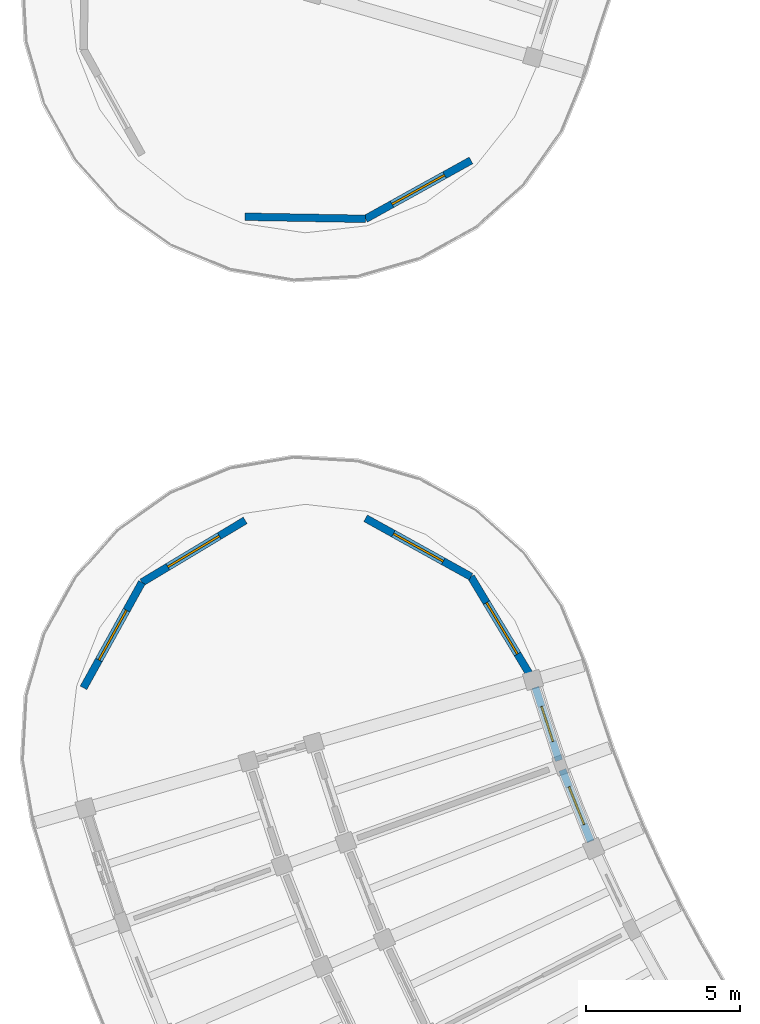
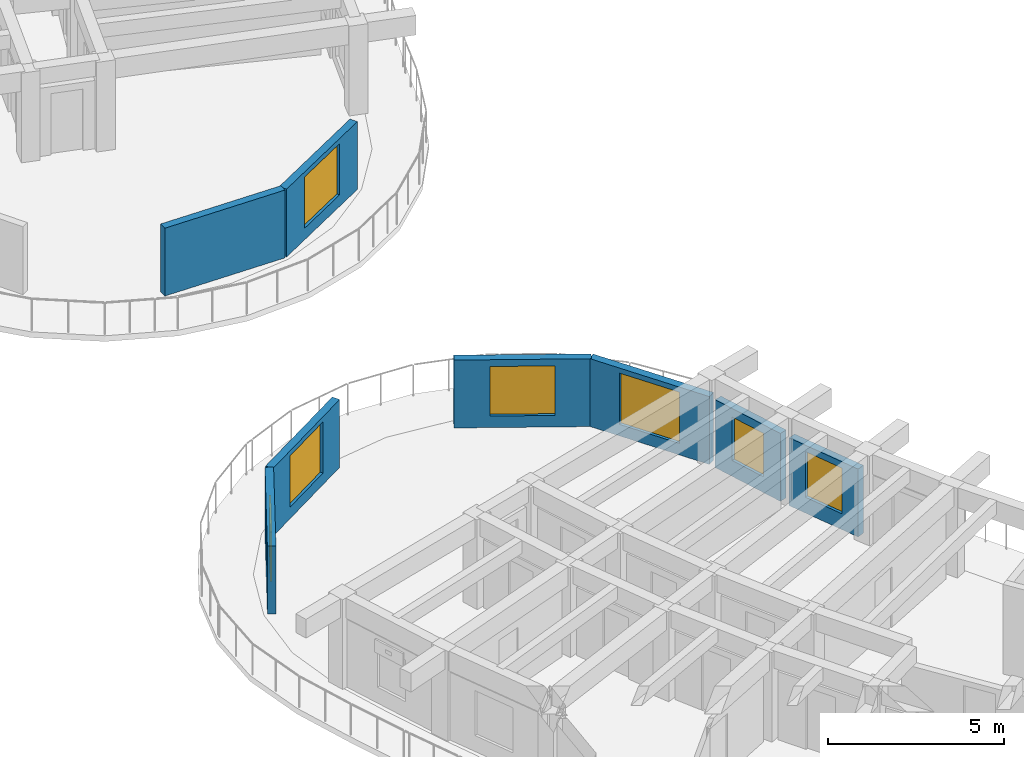
# One storey, part 31 of 69: 8 walls, 7 windows, 7 openings.
"""IFC4 building model written with IfcOpenShell, lengths in metres."""

from ifc_helpers import new_model, si_unit, direction, frame, frame_2d, origin, place, context, subcontext, project, spatial, rectangle, extrude, material, layer, layer_set, type_object, element, fill, save


model = new_model("IFC4")

# Units and contexts
model_context = context("Model", 3, precision=1e-05, world=origin(), true_north=direction((0.0, 1.0)))
body_context = subcontext(model_context, "Body", "Model", "MODEL_VIEW")
ifc_project = project(units=[si_unit("LENGTHUNIT", "METRE"), si_unit("AREAUNIT", "SQUARE_METRE"), si_unit("VOLUMEUNIT", "CUBIC_METRE"), si_unit("PLANEANGLEUNIT", "RADIAN"), si_unit("MASSUNIT", "GRAM", prefix="KILO")], contexts=[model_context])

# Site, building, storey
site_placement = place(None, origin())
site = spatial("IfcSite", under=ifc_project, at=site_placement, CompositionType="ELEMENT")
building_placement = place(site_placement, origin())
building = spatial("IfcBuilding", under=site, at=building_placement, Name="Tanwirah Colonnade Gardens", CompositionType="ELEMENT")
storey_placement = place(building_placement, frame((0.0, 0.0, 15.56005859375)))
storey = spatial("IfcBuildingStorey", under=building, at=storey_placement, Name="L04", CompositionType="ELEMENT", Elevation=15.56005859375)

# Wall, opening, window
ifc_material_1 = material(Name="Limestone architectural precast concrete C40/50", Category="masonry")
ifc_layer = layer(ifc_material_1, 0.2451171875)
ifc_layer_set = layer_set([ifc_layer], Name="Limestone architectural precast concrete C40/50")
wall_type = type_object("IfcWallType", Name="EW-PC245", PredefinedType="SOLIDWALL", material=ifc_layer_set)
wall_1_placement = place(storey_placement, frame((20.259033203125, 69.10205078125, 0.0), z_axis=(0.0, 0.0, 1.0), x_axis=(-0.874643043537, -0.484767517881, 0.0)))
wall_1 = element("IfcWall", 1, at=wall_1_placement, inside=storey, type_object=wall_type, Name="Block A L04 END Rounded End Wall 1", PredefinedType="SOLIDWALL", context=body_context, shape_type="SweptSolid", body=[
    extrude(rectangle(XDim=3.908203125, YDim=0.2451171875, at=frame_2d((1.9541015625, 0.0))), origin(), (0.0, 0.0, 1.0), 2.35498046875),
])
opening_1_placement = place(wall_1_placement, frame((0.97900390625, 0.0, 0.39990234375)))
opening_1 = element("IfcOpeningElement", 2, at=opening_1_placement, cuts=wall_1, Name="Opening WIN-END2", PredefinedType="OPENING", context=body_context, shape_type="SweptSolid", body=[
    extrude(rectangle(XDim=1.949951171875, YDim=1.780029296875, at=frame_2d((0.97509765625, 0.89013671875))), frame((0.0, 0.132568359375, 0.0), z_axis=(0.0, -1.0, 0.0), x_axis=(1.0, 0.0, 0.0)), (0.0, 0.0, 1.0), 0.26513671875),
])
ifc_material_2 = material(Name="Thermally broken bronze aluminium and solar low-E double glazing", Category="aluminium")
window_type_1 = type_object("IfcWindowType", Name="WIN-END2", PartitioningType="TRIPLE_PANEL_VERTICAL", PredefinedType="WINDOW", material=ifc_material_2)
window_1_placement = place(opening_1_placement, origin())
window_1 = element("IfcWindow", 3, at=window_1_placement, inside=storey, type_object=window_type_1, Name="Rounded corner window A-L04-END-1", OverallHeight=1.780029296875, OverallWidth=1.949951171875, PartitioningType="SINGLE_PANEL", PredefinedType="WINDOW", context=body_context, shape_type="SweptSolid", body=[
    extrude(rectangle(XDim=1.949951171875, YDim=1.780029296875, at=frame_2d((0.97509765625, 0.89013671875))), frame((0.0, 0.030029296875, 0.0), z_axis=(0.0, -1.0, 0.0), x_axis=(1.0, 0.0, 0.0)), (0.0, 0.0, 1.0), 0.06005859375),
])
fill(opening_1, window_1)

# Wall
wall_2_placement = place(storey_placement, frame((16.8408203125, 67.20751953125, 0.0), z_axis=(0.0, 0.0, 1.0), x_axis=(-0.999848096392, 0.017429404492, 0.0)))
element("IfcWall", 4, at=wall_2_placement, inside=storey, type_object=wall_type, Name="Block A L04 END Rounded End Wall 2", PredefinedType="SOLIDWALL", context=body_context, shape_type="SweptSolid", body=[
    extrude(rectangle(XDim=3.907958984375, YDim=0.2451171875, at=frame_2d((1.9541015625, 0.0))), origin(), (0.0, 0.0, 1.0), 2.35498046875),
])

# Wall, opening, window
wall_3_placement = place(storey_placement, frame((22.3486328125, 52.010009765625, 0.0), z_axis=(0.0, 0.0, 1.0), x_axis=(0.306979942778, -0.951715984279, 0.0)))
wall_3 = element("IfcWall", 5, at=wall_3_placement, inside=storey, type_object=wall_type, Name="Block C L04 IN Precast Facade Wall 0", PredefinedType="SOLIDWALL", context=body_context, shape_type="SweptSolid", body=[
    extrude(rectangle(XDim=2.498779296875, YDim=0.2451171875, at=frame_2d((1.24951171875, 0.0))), origin(), (0.0, 0.0, 1.0), 2.35498046875),
])
opening_2_placement = place(wall_3_placement, frame((0.6494140625, 0.0, 0.550048828125)))
opening_2 = element("IfcOpeningElement", 6, at=opening_2_placement, cuts=wall_3, Name="Opening WIN-U02", PredefinedType="OPENING", context=body_context, shape_type="SweptSolid", body=[
    extrude(rectangle(XDim=1.199951171875, YDim=1.510009765625, at=frame_2d((0.60009765625, 0.7548828125))), frame((0.0, 0.132568359375, 0.0), z_axis=(0.0, -1.0, 0.0), x_axis=(1.0, 0.0, 0.0)), (0.0, 0.0, 1.0), 0.26513671875),
])
window_type_2 = type_object("IfcWindowType", Name="WIN-U02", PartitioningType="DOUBLE_PANEL_VERTICAL", PredefinedType="WINDOW", material=ifc_material_2)
window_2_placement = place(opening_2_placement, origin())
window_2 = element("IfcWindow", 7, at=window_2_placement, inside=storey, type_object=window_type_2, Name="Facade window C-L04-IN-00", OverallHeight=1.510009765625, OverallWidth=1.199951171875, PartitioningType="SINGLE_PANEL", PredefinedType="WINDOW", context=body_context, shape_type="SweptSolid", body=[
    extrude(rectangle(XDim=1.199951171875, YDim=1.510009765625, at=frame_2d((0.60009765625, 0.7548828125))), frame((0.0, 0.030029296875, 0.0), z_axis=(0.0, -1.0, 0.0), x_axis=(1.0, 0.0, 0.0)), (0.0, 0.0, 1.0), 0.06005859375),
])
fill(opening_2, window_2)

wall_4_placement = place(storey_placement, frame((23.2236328125, 49.330810546875, 0.0), z_axis=(0.0, 0.0, 1.0), x_axis=(0.368558756085, -0.9296044553, 0.0)))
wall_4 = element("IfcWall", 8, at=wall_4_placement, inside=storey, type_object=wall_type, Name="Block C L04 IN Precast Facade Wall 1", PredefinedType="SOLIDWALL", context=body_context, shape_type="SweptSolid", body=[
    extrude(rectangle(XDim=2.49853515625, YDim=0.2451171875, at=frame_2d((1.249267578125, 0.0))), origin(), (0.0, 0.0, 1.0), 2.35498046875),
])
opening_3_placement = place(wall_4_placement, frame((0.58935546875, 0.0, 0.550048828125)))
opening_3 = element("IfcOpeningElement", 9, at=opening_3_placement, cuts=wall_4, Name="Opening WIN-U05", PredefinedType="OPENING", context=body_context, shape_type="SweptSolid", body=[
    extrude(rectangle(XDim=1.320068359375, YDim=1.5849609375, at=frame_2d((0.66015625, 0.79248046875))), frame((0.0, 0.132568359375, 0.0), z_axis=(0.0, -1.0, 0.0), x_axis=(1.0, 0.0, 0.0)), (0.0, 0.0, 1.0), 0.26513671875),
])
window_type_3 = type_object("IfcWindowType", Name="WIN-U05", PartitioningType="DOUBLE_PANEL_VERTICAL", PredefinedType="WINDOW", material=ifc_material_2)
window_3_placement = place(opening_3_placement, origin())
window_3 = element("IfcWindow", 10, at=window_3_placement, inside=storey, type_object=window_type_3, Name="Facade window C-L04-IN-01", OverallHeight=1.5849609375, OverallWidth=1.320068359375, PartitioningType="SINGLE_PANEL", PredefinedType="WINDOW", context=body_context, shape_type="SweptSolid", body=[
    extrude(rectangle(XDim=1.320068359375, YDim=1.5849609375, at=frame_2d((0.66015625, 0.79248046875))), frame((0.0, 0.030029296875, 0.0), z_axis=(0.0, -1.0, 0.0), x_axis=(1.0, 0.0, 0.0)), (0.0, 0.0, 1.0), 0.06005859375),
])
fill(opening_3, window_3)

wall_5_placement = place(storey_placement, frame((7.688720703125, 51.993408203125, 0.0), z_axis=(0.0, 0.0, 1.0), x_axis=(0.48481530532, 0.874616555828, 0.0)))
wall_5 = element("IfcWall", 11, at=wall_5_placement, inside=storey, type_object=wall_type, Name="Block C L04 START Rounded End Wall 1", PredefinedType="SOLIDWALL", context=body_context, shape_type="SweptSolid", body=[
    extrude(rectangle(XDim=3.908203125, YDim=0.2451171875, at=frame_2d((1.9541015625, 0.0))), origin(), (0.0, 0.0, 1.0), 2.35498046875),
])
opening_4_placement = place(wall_5_placement, frame((1.029052734375, 0.0, 0.39990234375)))
opening_4 = element("IfcOpeningElement", 12, at=opening_4_placement, cuts=wall_5, Name="Opening WIN-END1", PredefinedType="OPENING", context=body_context, shape_type="SweptSolid", body=[
    extrude(rectangle(XDim=1.85009765625, YDim=1.719970703125, at=frame_2d((0.925048828125, 0.85986328125))), frame((0.0, 0.132568359375, 0.0), z_axis=(0.0, -1.0, 0.0), x_axis=(1.0, 0.0, 0.0)), (0.0, 0.0, 1.0), 0.26513671875),
])
window_type_4 = type_object("IfcWindowType", Name="WIN-END1", PartitioningType="TRIPLE_PANEL_VERTICAL", PredefinedType="WINDOW", material=ifc_material_2)
window_4_placement = place(opening_4_placement, origin())
window_4 = element("IfcWindow", 13, at=window_4_placement, inside=storey, type_object=window_type_4, Name="Rounded corner window C-L04-START-1", OverallHeight=1.719970703125, OverallWidth=1.85009765625, PartitioningType="SINGLE_PANEL", PredefinedType="WINDOW", context=body_context, shape_type="SweptSolid", body=[
    extrude(rectangle(XDim=1.85009765625, YDim=1.719970703125, at=frame_2d((0.925048828125, 0.85986328125))), frame((0.0, 0.030029296875, 0.0), z_axis=(0.0, -1.0, 0.0), x_axis=(1.0, 0.0, 0.0)), (0.0, 0.0, 1.0), 0.06005859375),
])
fill(opening_4, window_4)

wall_6_placement = place(storey_placement, frame((9.58349609375, 55.41162109375, 0.0), z_axis=(0.0, 0.0, 1.0), x_axis=(0.857178568309, 0.515019321998, 0.0)))
wall_6 = element("IfcWall", 14, at=wall_6_placement, inside=storey, type_object=wall_type, Name="Block C L04 START Rounded End Wall 2", PredefinedType="SOLIDWALL", context=body_context, shape_type="SweptSolid", body=[
    extrude(rectangle(XDim=3.907958984375, YDim=0.2451171875, at=frame_2d((1.9541015625, 0.0))), origin(), (0.0, 0.0, 1.0), 2.35498046875),
])
opening_5_placement = place(wall_6_placement, frame((0.97900390625, 0.0, 0.39990234375)))
opening_5 = element("IfcOpeningElement", 15, at=opening_5_placement, cuts=wall_6, Name="Opening WIN-END2", PredefinedType="OPENING", context=body_context, shape_type="SweptSolid", body=[
    extrude(rectangle(XDim=1.949951171875, YDim=1.780029296875, at=frame_2d((0.97509765625, 0.89013671875))), frame((0.0, 0.132568359375, 0.0), z_axis=(0.0, -1.0, 0.0), x_axis=(1.0, 0.0, 0.0)), (0.0, 0.0, 1.0), 0.26513671875),
])
window_5_placement = place(opening_5_placement, origin())
window_5 = element("IfcWindow", 16, at=window_5_placement, inside=storey, type_object=window_type_1, Name="Rounded corner window C-L04-START-2", OverallHeight=1.780029296875, OverallWidth=1.949951171875, PartitioningType="SINGLE_PANEL", PredefinedType="WINDOW", context=body_context, shape_type="SweptSolid", body=[
    extrude(rectangle(XDim=1.949951171875, YDim=1.780029296875, at=frame_2d((0.97509765625, 0.89013671875))), frame((0.0, 0.030029296875, 0.0), z_axis=(0.0, -1.0, 0.0), x_axis=(1.0, 0.0, 0.0)), (0.0, 0.0, 1.0), 0.06005859375),
])
fill(opening_5, window_5)

wall_7_placement = place(storey_placement, frame((16.8408203125, 57.49267578125, 0.0), z_axis=(0.0, 0.0, 1.0), x_axis=(0.874616555828, -0.48481530532, 0.0)))
wall_7 = element("IfcWall", 17, at=wall_7_placement, inside=storey, type_object=wall_type, Name="Block C L04 START Rounded End Wall 4", PredefinedType="SOLIDWALL", context=body_context, shape_type="SweptSolid", body=[
    extrude(rectangle(XDim=3.908203125, YDim=0.2451171875, at=frame_2d((1.9541015625, 0.0))), origin(), (0.0, 0.0, 1.0), 2.35498046875),
])
opening_6_placement = place(wall_7_placement, frame((1.029052734375, 0.0, 0.39990234375)))
opening_6 = element("IfcOpeningElement", 18, at=opening_6_placement, cuts=wall_7, Name="Opening WIN-END1", PredefinedType="OPENING", context=body_context, shape_type="SweptSolid", body=[
    extrude(rectangle(XDim=1.85009765625, YDim=1.719970703125, at=frame_2d((0.925048828125, 0.85986328125))), frame((0.0, 0.132568359375, 0.0), z_axis=(0.0, -1.0, 0.0), x_axis=(1.0, 0.0, 0.0)), (0.0, 0.0, 1.0), 0.26513671875),
])
window_6_placement = place(opening_6_placement, origin())
window_6 = element("IfcWindow", 19, at=window_6_placement, inside=storey, type_object=window_type_4, Name="Rounded corner window C-L04-START-4", OverallHeight=1.719970703125, OverallWidth=1.85009765625, PartitioningType="SINGLE_PANEL", PredefinedType="WINDOW", context=body_context, shape_type="SweptSolid", body=[
    extrude(rectangle(XDim=1.85009765625, YDim=1.719970703125, at=frame_2d((0.925048828125, 0.85986328125))), frame((0.0, 0.030029296875, 0.0), z_axis=(0.0, -1.0, 0.0), x_axis=(1.0, 0.0, 0.0)), (0.0, 0.0, 1.0), 0.06005859375),
])
fill(opening_6, window_6)

wall_8_placement = place(storey_placement, frame((20.259033203125, 55.597900390625, 0.0), z_axis=(0.0, 0.0, 1.0), x_axis=(0.515037642827, -0.857167560324, 0.0)))
wall_8 = element("IfcWall", 20, at=wall_8_placement, inside=storey, type_object=wall_type, Name="Block C L04 START Rounded End Wall 5", PredefinedType="SOLIDWALL", context=body_context, shape_type="SweptSolid", body=[
    extrude(rectangle(XDim=3.908447265625, YDim=0.2451171875, at=frame_2d((1.9541015625, 0.0))), origin(), (0.0, 0.0, 1.0), 2.35498046875),
])
opening_7_placement = place(wall_8_placement, frame((0.97900390625, 0.0, 0.39990234375)))
opening_7 = element("IfcOpeningElement", 21, at=opening_7_placement, cuts=wall_8, Name="Opening WIN-END2", PredefinedType="OPENING", context=body_context, shape_type="SweptSolid", body=[
    extrude(rectangle(XDim=1.949951171875, YDim=1.780029296875, at=frame_2d((0.97509765625, 0.89013671875))), frame((0.0, 0.132568359375, 0.0), z_axis=(0.0, -1.0, 0.0), x_axis=(1.0, 0.0, 0.0)), (0.0, 0.0, 1.0), 0.26513671875),
])
window_7_placement = place(opening_7_placement, origin())
window_7 = element("IfcWindow", 22, at=window_7_placement, inside=storey, type_object=window_type_1, Name="Rounded corner window C-L04-START-5", OverallHeight=1.780029296875, OverallWidth=1.949951171875, PartitioningType="SINGLE_PANEL", PredefinedType="WINDOW", context=body_context, shape_type="SweptSolid", body=[
    extrude(rectangle(XDim=1.949951171875, YDim=1.780029296875, at=frame_2d((0.97509765625, 0.89013671875))), frame((0.0, 0.030029296875, 0.0), z_axis=(0.0, -1.0, 0.0), x_axis=(1.0, 0.0, 0.0)), (0.0, 0.0, 1.0), 0.06005859375),
])
fill(opening_7, window_7)

save(model, "model.ifc")
